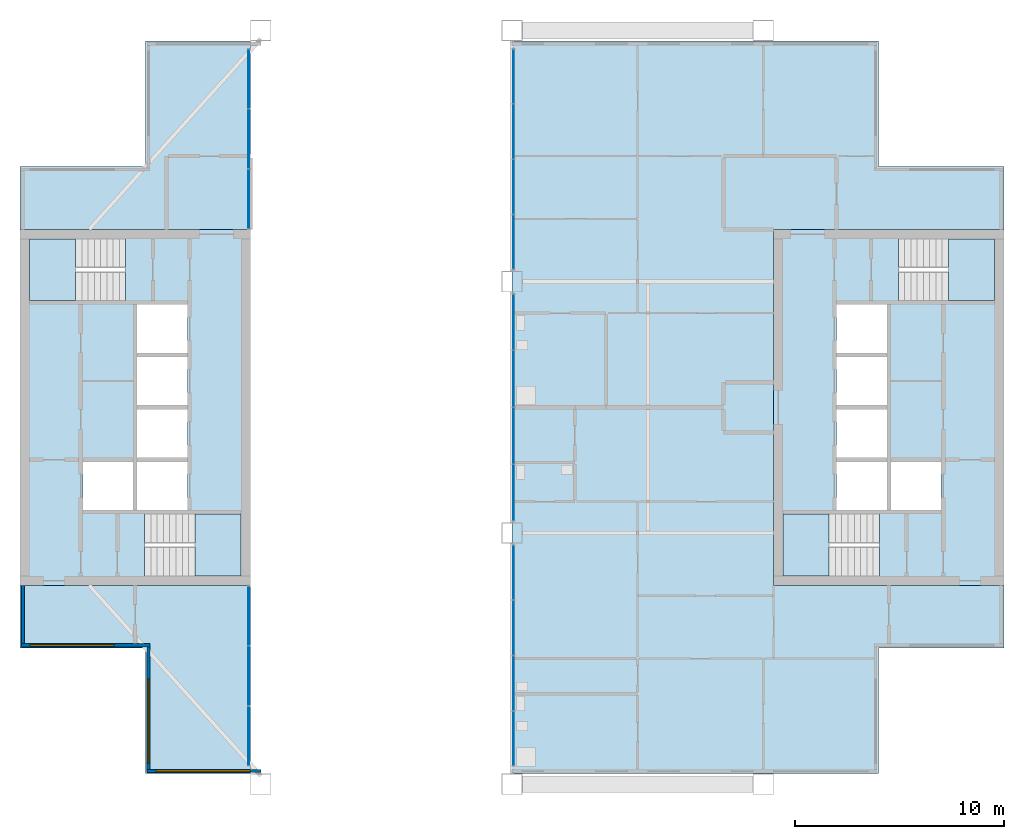
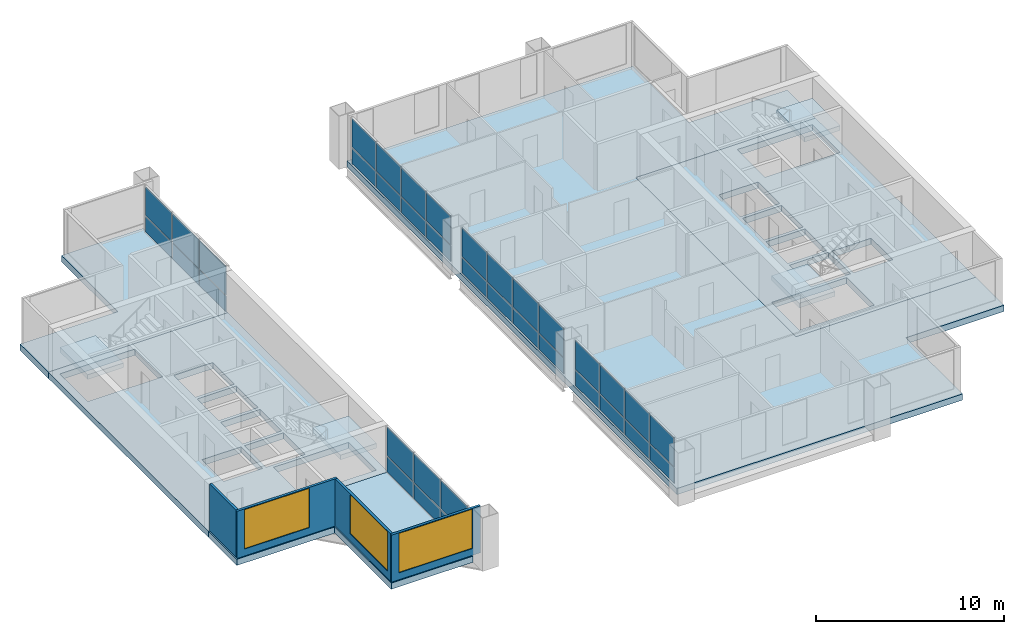
# One storey, part 6 of 13: 36 plates, 9 slabs, 4 walls, 3 windows, 3 openings, 9 elements without a shape of their own.
"""IFC4 building model written with IfcOpenShell, lengths in metres."""

import ifcopenshell
import ifcopenshell.guid

model = None  # the IFC model being written
_history = None  # IfcOwnerHistory: only IFC2X3 demands one
_inside = {}  # id of a spatial element -> (the spatial element, [elements in it])
_under = {}  # id of a project, library or spatial element -> (it, [spatial elements below it])
_declared = {}  # id of a project -> (the project, [libraries it declares])
_typed = {}  # id of a type object -> (the type object, [elements of that type])
_made_of = {}  # id of a material, layer set ... -> (it, [elements and type objects made of it])


def new_model(schema):
    """Start an empty IFC model of exactly this schema.

    Asked for "IFC4X3", IfcOpenShell would pick the latest addendum, in which some entities
    have other attributes; the version numbers below select the first issue.
    IFC2X3 requires an IfcOwnerHistory on every rooted entity: one is made here for all.
    """
    global model, _history
    if schema == "IFC4X3":
        model = ifcopenshell.file(schema_version=(4, 3, 0, 0))
    else:
        model = ifcopenshell.file(schema=schema)
    _inside.clear()
    _under.clear()
    _declared.clear()
    _typed.clear()
    _made_of.clear()
    _history = None
    if model.schema == "IFC2X3":
        org = make("IfcOrganization", Name="unknown")
        user = make(
            "IfcPersonAndOrganization",
            ThePerson=make("IfcPerson", FamilyName="unknown"),
            TheOrganization=org,
        )
        app = make(
            "IfcApplication",
            ApplicationDeveloper=org,
            Version="unknown",
            ApplicationFullName="unknown",
            ApplicationIdentifier="unknown",
        )
        _history = make(
            "IfcOwnerHistory",
            OwningUser=user,
            OwningApplication=app,
            ChangeAction="ADDED",
            CreationDate=0,
        )
    return model


def make(cls, **values):
    """One entity of the class cls with the attributes given. An attribute that is None is left unset."""
    return model.create_entity(
        cls, **{name: value for name, value in values.items() if value is not None}
    )


def rooted(cls, **values):
    """An entity with a GlobalId (a new one), such as an element, a storey or a relation."""
    return make(cls, GlobalId=ifcopenshell.guid.new(), OwnerHistory=_history, **values)


def si_unit(unit_type, name, prefix=None):
    """IfcSIUnit, for example si_unit("LENGTHUNIT", "METRE", prefix="MILLI")."""
    return make("IfcSIUnit", UnitType=unit_type, Prefix=prefix, Name=name)


def assignment(units):
    """IfcUnitAssignment: the units of a project."""
    return None if units is None else make("IfcUnitAssignment", Units=units)


def point(xyz):
    """IfcCartesianPoint."""
    return None if xyz is None else make("IfcCartesianPoint", Coordinates=xyz)


def direction(xyz):
    """IfcDirection."""
    return None if xyz is None else make("IfcDirection", DirectionRatios=xyz)


def frame(location, z_axis=None, x_axis=None):
    """IfcAxis2Placement3D, a coordinate frame: its origin and axes. An axis left out is left unset."""
    return make(
        "IfcAxis2Placement3D",
        Location=point(location),
        Axis=direction(z_axis),
        RefDirection=direction(x_axis),
    )


def frame_2d(location, x_axis=None):
    """IfcAxis2Placement2D, a coordinate frame in the plane: its origin and x axis."""
    return make(
        "IfcAxis2Placement2D", Location=point(location), RefDirection=direction(x_axis)
    )


def origin():
    """The frame at (0, 0, 0) with its axes left unset."""
    return frame((0.0, 0.0, 0.0))


def origin_2d():
    """The frame at (0, 0) in the plane with its x axis left unset."""
    return frame_2d((0.0, 0.0))


def place(relative_to, where):
    """IfcLocalPlacement: puts the frame where relative to a parent placement (None: the world)."""
    return make(
        "IfcLocalPlacement", PlacementRelTo=relative_to, RelativePlacement=where
    )


def context(
    kind, dimensions, precision=None, world=None, true_north=None, identifier=None
):
    """IfcGeometricRepresentationContext, for example the 3D "Model" context."""
    return make(
        "IfcGeometricRepresentationContext",
        ContextIdentifier=identifier,
        ContextType=kind,
        CoordinateSpaceDimension=dimensions,
        Precision=precision,
        WorldCoordinateSystem=world,
        TrueNorth=true_north,
    )


def subcontext(parent, identifier, kind, view, scale=None):
    """IfcGeometricRepresentationSubContext, for example "Body" below "Model"."""
    return make(
        "IfcGeometricRepresentationSubContext",
        ContextIdentifier=identifier,
        ContextType=kind,
        ParentContext=parent,
        TargetScale=scale,
        TargetView=view,
    )


def project(units=None, contexts=None):
    """IfcProject with its units and contexts."""
    return rooted(
        "IfcProject",
        Name="project",
        RepresentationContexts=contexts,
        UnitsInContext=assignment(units),
    )


def spatial(cls, under=None, at=None, **own):
    """A site, building, storey or space (cls), placed at a placement, below another one or the project."""
    s = rooted(cls, ObjectPlacement=at, **own)
    if under is not None:
        _under.setdefault(under.id(), (under, []))[1].append(s)
    return s


def polyline(points):
    """IfcPolyline through the points."""
    return make("IfcPolyline", Points=[point(p) for p in points])


def profile(cls, at=None, kind="AREA", **sizes):
    """A parametric profile (cls). Its sizes go by their IFC names, for example OverallWidth=200.0."""
    return make(cls, ProfileType=kind, Position=at, **sizes)


def rectangle(**sizes):
    """IfcRectangleProfileDef."""
    return profile("IfcRectangleProfileDef", **sizes)


def outline(outer, holes=None, kind="AREA"):
    """IfcArbitraryClosedProfileDef: a profile drawn as a closed curve; with holes, ...WithVoids."""
    if holes is None:
        return make("IfcArbitraryClosedProfileDef", ProfileType=kind, OuterCurve=outer)
    return make(
        "IfcArbitraryProfileDefWithVoids",
        ProfileType=kind,
        OuterCurve=outer,
        InnerCurves=holes,
    )


def extrude(swept, where, along, depth):
    """IfcExtrudedAreaSolid: the profile swept, set in the frame where, extruded along a direction by depth."""
    return make(
        "IfcExtrudedAreaSolid",
        SweptArea=swept,
        Position=where,
        ExtrudedDirection=direction(along),
        Depth=depth,
    )


def shape(context_of_items, identifier, shape_type, items):
    """IfcShapeRepresentation: the items that make up one representation, for example the "Body"."""
    return make(
        "IfcShapeRepresentation",
        ContextOfItems=context_of_items,
        RepresentationIdentifier=identifier,
        RepresentationType=shape_type,
        Items=items,
    )


def material(Name=None, Category=None):
    """IfcMaterial."""
    return make("IfcMaterial", Name=Name, Category=Category)


def layer(
    of_material, thickness, ventilated=None, Name=None, Category=None, Priority=None
):
    """IfcMaterialLayer: one layer of a wall or slab, of a material (None: an air gap)."""
    return make(
        "IfcMaterialLayer",
        Material=of_material,
        LayerThickness=thickness,
        IsVentilated=ventilated,
        Name=Name,
        Category=Category,
        Priority=Priority,
    )


def layer_set(layers, Name=None):
    """IfcMaterialLayerSet."""
    return make("IfcMaterialLayerSet", MaterialLayers=layers, LayerSetName=Name)


def made_of(thing, what):
    """Note that an element or type object is made of a material, layer set ...; save() writes the relation."""
    if what is not None:
        _made_of.setdefault(what.id(), (what, []))[1].append(thing)
    return thing


def type_object(cls, material=None, **own):
    """A type object (cls), such as IfcWallType, which elements share."""
    return made_of(rooted(cls, **own), material)


def element(
    cls,
    number,
    at=None,
    inside=None,
    cuts=None,
    type_object=None,
    material=None,
    context=None,
    identifier="Body",
    shape_type=None,
    held_by="IfcProductDefinitionShape",
    body=None,
    shapes=None,
    **own,
):
    """One element of the class cls, such as IfcWall. Its Tag is "e" and its number.

    at: its placement. inside: the storey or other place that contains it. cuts: it is an
    opening in that element (IfcRelVoidsElement). A single representation is given by context,
    identifier, shape_type and body (its items); several are given by shapes. held_by: the class
    of the entity that holds the representations. save() writes the other relations.
    """
    e = rooted(cls, Tag="e%d" % number, ObjectPlacement=at, **own)
    if body is not None:
        shapes = [shape(context, identifier, shape_type, body)]
    if shapes is not None:
        e.Representation = make(held_by, Representations=shapes)
    if inside is not None:
        _inside.setdefault(inside.id(), (inside, []))[1].append(e)
    if cuts is not None:
        rooted(
            "IfcRelVoidsElement", RelatingBuildingElement=cuts, RelatedOpeningElement=e
        )
    if type_object is not None:
        _typed.setdefault(type_object.id(), (type_object, []))[1].append(e)
    return made_of(e, material)


def fill(opening, filler):
    """IfcRelFillsElement: the door or window that sits in an opening."""
    return rooted(
        "IfcRelFillsElement",
        RelatingOpeningElement=opening,
        RelatedBuildingElement=filler,
    )


def aggregate(whole, parts):
    """IfcRelAggregates: a whole, such as a stair, and the parts it consists of."""
    return rooted("IfcRelAggregates", RelatingObject=whole, RelatedObjects=parts)


def save(model, path):
    """Write the relations noted so far, then the file.

    IfcRelAggregates (storeys below a building ...), IfcRelContainedInSpatialStructure (elements
    in a storey), IfcRelDefinesByType, IfcRelAssociatesMaterial and IfcRelDeclares: one each for
    every whole, place, type object, material and project.
    """
    for whole, parts in _under.values():
        aggregate(whole, parts)
    for where, things in _inside.values():
        rooted(
            "IfcRelContainedInSpatialStructure",
            RelatedElements=things,
            RelatingStructure=where,
        )
    for kind, things in _typed.values():
        rooted("IfcRelDefinesByType", RelatedObjects=things, RelatingType=kind)
    for what, things in _made_of.values():
        rooted("IfcRelAssociatesMaterial", RelatedObjects=things, RelatingMaterial=what)
    for by, libraries in _declared.values():
        rooted("IfcRelDeclares", RelatingContext=by, RelatedDefinitions=libraries)
    model.write(path)


model = new_model("IFC4")

# Units and contexts
model_context = context("Model", 3, precision=1e-05, world=origin(), true_north=direction((0.0, 1.0)))
body_context = subcontext(model_context, "Body", "Model", "MODEL_VIEW")
ifc_project = project(units=[si_unit("LENGTHUNIT", "METRE"), si_unit("AREAUNIT", "SQUARE_METRE"), si_unit("VOLUMEUNIT", "CUBIC_METRE"), si_unit("PLANEANGLEUNIT", "RADIAN"), si_unit("MASSUNIT", "GRAM", prefix="KILO")], contexts=[model_context])

# Site, building, storey
site_placement = place(None, origin())
site = spatial("IfcSite", under=ifc_project, at=site_placement, CompositionType="ELEMENT")
building_placement = place(site_placement, origin())
building = spatial("IfcBuilding", under=site, at=building_placement, Name="Kitamizu Gate Tower and Museum", CompositionType="ELEMENT")
storey_placement = place(building_placement, frame((0.0, 0.0, 252.449951171875)))
storey = spatial("IfcBuildingStorey", under=building, at=storey_placement, Name="L68", CompositionType="ELEMENT", Elevation=252.449951171875)

# Slabs
ifc_material_1 = material(Name="Concrete Fc36", Category="concrete")
ifc_layer_1 = layer(ifc_material_1, 0.39990234375)
ifc_layer_set_1 = layer_set([ifc_layer_1], Name="Concrete Fc36")
slab_type_1 = type_object("IfcSlabType", Name="Core floor slab 400", PredefinedType="FLOOR", material=ifc_layer_set_1)
slab_1_placement = place(storey_placement, frame((0.0, 0.0, -0.39990234375)))
element("IfcSlab", 1, at=slab_1_placement, inside=storey, type_object=slab_type_1, Name="Core floor slab W", PredefinedType="FLOOR", context=body_context, shape_type="SweptSolid", body=[
    extrude(outline(polyline([(12.5, 21.5), (23.5, 21.5), (23.5, 38.5), (12.5, 38.5), (12.5, 21.5)]), holes=[polyline([(15.5, 25.10009765625), (17.89990234375, 25.10009765625), (17.89990234375, 27.39990234375), (15.5, 27.39990234375), (15.5, 25.10009765625)]), polyline([(18.10009765625, 25.10009765625), (20.5, 25.10009765625), (20.5, 27.39990234375), (18.10009765625, 27.39990234375), (18.10009765625, 25.10009765625)]), polyline([(18.10009765625, 27.60009765625), (20.5, 27.60009765625), (20.5, 29.89990234375), (18.10009765625, 29.89990234375), (18.10009765625, 27.60009765625)]), polyline([(18.10009765625, 30.10009765625), (20.5, 30.10009765625), (20.5, 32.39990234375), (18.10009765625, 32.39990234375), (18.10009765625, 30.10009765625)]), polyline([(18.10009765625, 32.60009765625), (20.5, 32.60009765625), (20.5, 34.89990234375), (18.10009765625, 34.89990234375), (18.10009765625, 32.60009765625)]), polyline([(18.45068359375, 21.949951171875), (23.050048828125, 21.949951171875), (23.050048828125, 24.89990234375), (18.45068359375, 24.89990234375), (18.45068359375, 21.949951171875)]), polyline([(12.949951171875, 35.10009765625), (17.54931640625, 35.10009765625), (17.54931640625, 38.050048828125), (12.949951171875, 38.050048828125), (12.949951171875, 35.10009765625)])]), origin(), (0.0, 0.0, 1.0), 0.39990234375),
])
slab_2_placement = place(storey_placement, frame((0.0, 0.0, -0.39990234375)))
element("IfcSlab", 2, at=slab_2_placement, inside=storey, type_object=slab_type_1, Name="Core floor slab E", PredefinedType="FLOOR", context=body_context, shape_type="SweptSolid", body=[
    extrude(outline(polyline([(48.5, 21.5), (59.5, 21.5), (59.5, 38.5), (48.5, 38.5), (48.5, 21.5)]), holes=[polyline([(54.10009765625, 25.10009765625), (56.5, 25.10009765625), (56.5, 27.39990234375), (54.10009765625, 27.39990234375), (54.10009765625, 25.10009765625)]), polyline([(51.5, 25.10009765625), (53.89990234375, 25.10009765625), (53.89990234375, 27.39990234375), (51.5, 27.39990234375), (51.5, 25.10009765625)]), polyline([(51.5, 27.60009765625), (53.89990234375, 27.60009765625), (53.89990234375, 29.89990234375), (51.5, 29.89990234375), (51.5, 27.60009765625)]), polyline([(51.5, 30.10009765625), (53.89990234375, 30.10009765625), (53.89990234375, 32.39990234375), (51.5, 32.39990234375), (51.5, 30.10009765625)]), polyline([(51.5, 32.60009765625), (53.89990234375, 32.60009765625), (53.89990234375, 34.89990234375), (51.5, 34.89990234375), (51.5, 32.60009765625)]), polyline([(48.949951171875, 21.949951171875), (53.54931640625, 21.949951171875), (53.54931640625, 24.89990234375), (48.949951171875, 24.89990234375), (48.949951171875, 21.949951171875)]), polyline([(54.45068359375, 35.10009765625), (59.050048828125, 35.10009765625), (59.050048828125, 38.050048828125), (54.45068359375, 38.050048828125), (54.45068359375, 35.10009765625)])]), origin(), (0.0, 0.0, 1.0), 0.39990234375),
])

# Curtain wall, plates
ifc_material_2 = material(Name="Bronze anodised aluminium frame, tinted triple glazing", Category="aluminium")
curtain_wall_type = type_object("IfcCurtainWallType", Name="CURTAIN WALL TYPE C SKY AMENITY", PredefinedType="NOTDEFINED", material=ifc_material_2)
curtain_wall_1_placement = place(storey_placement, origin())
curtain_wall_1 = element("IfcCurtainWall", 3, at=curtain_wall_1_placement, inside=storey, type_object=curtain_wall_type, Name="Curtain wall CW-C portal W L68", PredefinedType="NOTDEFINED")
ifc_material_3 = material(Name="Tinted insulating glass", Category="glass")
ifc_layer_2 = layer(ifc_material_3, 0.031982421875)
ifc_layer_set_2 = layer_set([ifc_layer_2], Name="Tinted insulating glass")
plate_type = type_object("IfcPlateType", Name="GLASS PANEL 32 TYPE C", PredefinedType="CURTAIN_PANEL", material=ifc_layer_set_2)
plate_1_placement = place(storey_placement, frame((23.425048828125, 14.306640625, 0.06005859375), z_axis=(0.0, 0.0, 1.0), x_axis=(0.0, 1.0, 0.0)))
plate_1 = element("IfcPlate", 4, at=plate_1_placement, type_object=plate_type, Name="CW-C panel 1.1", PredefinedType="CURTAIN_PANEL", context=body_context, shape_type="SweptSolid", body=[
    extrude(rectangle(XDim=2.793212890625, YDim=0.031982421875, at=origin_2d()), origin(), (0.0, 0.0, 1.0), 1.010009765625),
])
plate_2_placement = place(storey_placement, frame((23.425048828125, 14.306640625, 1.1298828125), z_axis=(0.0, 0.0, 1.0), x_axis=(0.0, 1.0, 0.0)))
plate_2 = element("IfcPlate", 5, at=plate_2_placement, type_object=plate_type, Name="CW-C panel 1.2", PredefinedType="CURTAIN_PANEL", context=body_context, shape_type="SweptSolid", body=[
    extrude(rectangle(XDim=2.793212890625, YDim=0.031982421875, at=origin_2d()), origin(), (0.0, 0.0, 1.0), 1.860107421875),
])
plate_3_placement = place(storey_placement, frame((23.425048828125, 17.175048828125, 0.06005859375), z_axis=(0.0, 0.0, 1.0), x_axis=(0.0, 1.0, 0.0)))
plate_3 = element("IfcPlate", 6, at=plate_3_placement, type_object=plate_type, Name="CW-C panel 2.1", PredefinedType="CURTAIN_PANEL", context=body_context, shape_type="SweptSolid", body=[
    extrude(rectangle(XDim=2.8232421875, YDim=0.031982421875, at=origin_2d()), origin(), (0.0, 0.0, 1.0), 1.010009765625),
])
plate_4_placement = place(storey_placement, frame((23.425048828125, 17.175048828125, 1.1298828125), z_axis=(0.0, 0.0, 1.0), x_axis=(0.0, 1.0, 0.0)))
plate_4 = element("IfcPlate", 7, at=plate_4_placement, type_object=plate_type, Name="CW-C panel 2.2", PredefinedType="CURTAIN_PANEL", context=body_context, shape_type="SweptSolid", body=[
    extrude(rectangle(XDim=2.8232421875, YDim=0.031982421875, at=origin_2d()), origin(), (0.0, 0.0, 1.0), 1.860107421875),
])
plate_5_placement = place(storey_placement, frame((23.425048828125, 20.043212890625, 0.06005859375), z_axis=(0.0, 0.0, 1.0), x_axis=(0.0, 1.0, 0.0)))
plate_5 = element("IfcPlate", 8, at=plate_5_placement, type_object=plate_type, Name="CW-C panel 3.1", PredefinedType="CURTAIN_PANEL", context=body_context, shape_type="SweptSolid", body=[
    extrude(rectangle(XDim=2.793212890625, YDim=0.031982421875, at=origin_2d()), origin(), (0.0, 0.0, 1.0), 1.010009765625),
])
plate_6_placement = place(storey_placement, frame((23.425048828125, 20.043212890625, 1.1298828125), z_axis=(0.0, 0.0, 1.0), x_axis=(0.0, 1.0, 0.0)))
plate_6 = element("IfcPlate", 9, at=plate_6_placement, type_object=plate_type, Name="CW-C panel 3.2", PredefinedType="CURTAIN_PANEL", context=body_context, shape_type="SweptSolid", body=[
    extrude(rectangle(XDim=2.793212890625, YDim=0.031982421875, at=origin_2d()), origin(), (0.0, 0.0, 1.0), 1.860107421875),
])
aggregate(curtain_wall_1, [plate_1, plate_2, plate_3, plate_4, plate_5, plate_6])

curtain_wall_2_placement = place(storey_placement, origin())
curtain_wall_2 = element("IfcCurtainWall", 10, at=curtain_wall_2_placement, inside=storey, type_object=curtain_wall_type, Name="Curtain wall CW-C portal W L68", PredefinedType="NOTDEFINED")
plate_7_placement = place(storey_placement, frame((23.425048828125, 39.956787109375, 0.06005859375), z_axis=(0.0, 0.0, 1.0), x_axis=(0.0, 1.0, 0.0)))
plate_7 = element("IfcPlate", 11, at=plate_7_placement, type_object=plate_type, Name="CW-C panel 1.1", PredefinedType="CURTAIN_PANEL", context=body_context, shape_type="SweptSolid", body=[
    extrude(rectangle(XDim=2.793212890625, YDim=0.031982421875, at=origin_2d()), origin(), (0.0, 0.0, 1.0), 1.010009765625),
])
plate_8_placement = place(storey_placement, frame((23.425048828125, 39.956787109375, 1.1298828125), z_axis=(0.0, 0.0, 1.0), x_axis=(0.0, 1.0, 0.0)))
plate_8 = element("IfcPlate", 12, at=plate_8_placement, type_object=plate_type, Name="CW-C panel 1.2", PredefinedType="CURTAIN_PANEL", context=body_context, shape_type="SweptSolid", body=[
    extrude(rectangle(XDim=2.793212890625, YDim=0.031982421875, at=origin_2d()), origin(), (0.0, 0.0, 1.0), 1.860107421875),
])
plate_9_placement = place(storey_placement, frame((23.425048828125, 42.824951171875, 0.06005859375), z_axis=(0.0, 0.0, 1.0), x_axis=(0.0, 1.0, 0.0)))
plate_9 = element("IfcPlate", 13, at=plate_9_placement, type_object=plate_type, Name="CW-C panel 2.1", PredefinedType="CURTAIN_PANEL", context=body_context, shape_type="SweptSolid", body=[
    extrude(rectangle(XDim=2.8232421875, YDim=0.031982421875, at=origin_2d()), origin(), (0.0, 0.0, 1.0), 1.010009765625),
])
plate_10_placement = place(storey_placement, frame((23.425048828125, 42.824951171875, 1.1298828125), z_axis=(0.0, 0.0, 1.0), x_axis=(0.0, 1.0, 0.0)))
plate_10 = element("IfcPlate", 14, at=plate_10_placement, type_object=plate_type, Name="CW-C panel 2.2", PredefinedType="CURTAIN_PANEL", context=body_context, shape_type="SweptSolid", body=[
    extrude(rectangle(XDim=2.8232421875, YDim=0.031982421875, at=origin_2d()), origin(), (0.0, 0.0, 1.0), 1.860107421875),
])
plate_11_placement = place(storey_placement, frame((23.425048828125, 45.693359375, 0.06005859375), z_axis=(0.0, 0.0, 1.0), x_axis=(0.0, 1.0, 0.0)))
plate_11 = element("IfcPlate", 15, at=plate_11_placement, type_object=plate_type, Name="CW-C panel 3.1", PredefinedType="CURTAIN_PANEL", context=body_context, shape_type="SweptSolid", body=[
    extrude(rectangle(XDim=2.793212890625, YDim=0.031982421875, at=origin_2d()), origin(), (0.0, 0.0, 1.0), 1.010009765625),
])
plate_12_placement = place(storey_placement, frame((23.425048828125, 45.693359375, 1.1298828125), z_axis=(0.0, 0.0, 1.0), x_axis=(0.0, 1.0, 0.0)))
plate_12 = element("IfcPlate", 16, at=plate_12_placement, type_object=plate_type, Name="CW-C panel 3.2", PredefinedType="CURTAIN_PANEL", context=body_context, shape_type="SweptSolid", body=[
    extrude(rectangle(XDim=2.793212890625, YDim=0.031982421875, at=origin_2d()), origin(), (0.0, 0.0, 1.0), 1.860107421875),
])
aggregate(curtain_wall_2, [plate_7, plate_8, plate_9, plate_10, plate_11, plate_12])

curtain_wall_3_placement = place(storey_placement, origin())
curtain_wall_3 = element("IfcCurtainWall", 17, at=curtain_wall_3_placement, inside=storey, type_object=curtain_wall_type, Name="Curtain wall CW-C portal E L68", PredefinedType="NOTDEFINED")
plate_13_placement = place(storey_placement, frame((36.074951171875, 14.189453125, 0.06005859375), z_axis=(0.0, 0.0, 1.0), x_axis=(0.0, 1.0, 0.0)))
plate_13 = element("IfcPlate", 18, at=plate_13_placement, type_object=plate_type, Name="CW-C panel 1.1", PredefinedType="CURTAIN_PANEL", context=body_context, shape_type="SweptSolid", body=[
    extrude(rectangle(XDim=2.558837890625, YDim=0.031982421875, at=origin_2d()), origin(), (0.0, 0.0, 1.0), 1.010009765625),
])
plate_14_placement = place(storey_placement, frame((36.074951171875, 14.189453125, 1.1298828125), z_axis=(0.0, 0.0, 1.0), x_axis=(0.0, 1.0, 0.0)))
plate_14 = element("IfcPlate", 19, at=plate_14_placement, type_object=plate_type, Name="CW-C panel 1.2", PredefinedType="CURTAIN_PANEL", context=body_context, shape_type="SweptSolid", body=[
    extrude(rectangle(XDim=2.558837890625, YDim=0.031982421875, at=origin_2d()), origin(), (0.0, 0.0, 1.0), 1.860107421875),
])
plate_15_placement = place(storey_placement, frame((36.074951171875, 16.8232421875, 0.06005859375), z_axis=(0.0, 0.0, 1.0), x_axis=(0.0, 1.0, 0.0)))
plate_15 = element("IfcPlate", 20, at=plate_15_placement, type_object=plate_type, Name="CW-C panel 2.1", PredefinedType="CURTAIN_PANEL", context=body_context, shape_type="SweptSolid", body=[
    extrude(rectangle(XDim=2.5888671875, YDim=0.031982421875, at=origin_2d()), origin(), (0.0, 0.0, 1.0), 1.010009765625),
])
plate_16_placement = place(storey_placement, frame((36.074951171875, 16.8232421875, 1.1298828125), z_axis=(0.0, 0.0, 1.0), x_axis=(0.0, 1.0, 0.0)))
plate_16 = element("IfcPlate", 21, at=plate_16_placement, type_object=plate_type, Name="CW-C panel 2.2", PredefinedType="CURTAIN_PANEL", context=body_context, shape_type="SweptSolid", body=[
    extrude(rectangle(XDim=2.5888671875, YDim=0.031982421875, at=origin_2d()), origin(), (0.0, 0.0, 1.0), 1.860107421875),
])
plate_17_placement = place(storey_placement, frame((36.074951171875, 19.471923828125, 0.06005859375), z_axis=(0.0, 0.0, 1.0), x_axis=(0.0, 1.0, 0.0)))
plate_17 = element("IfcPlate", 22, at=plate_17_placement, type_object=plate_type, Name="CW-C panel 3.1", PredefinedType="CURTAIN_PANEL", context=body_context, shape_type="SweptSolid", body=[
    extrude(rectangle(XDim=2.5888671875, YDim=0.031982421875, at=origin_2d()), origin(), (0.0, 0.0, 1.0), 1.010009765625),
])
plate_18_placement = place(storey_placement, frame((36.074951171875, 19.471923828125, 1.1298828125), z_axis=(0.0, 0.0, 1.0), x_axis=(0.0, 1.0, 0.0)))
plate_18 = element("IfcPlate", 23, at=plate_18_placement, type_object=plate_type, Name="CW-C panel 3.2", PredefinedType="CURTAIN_PANEL", context=body_context, shape_type="SweptSolid", body=[
    extrude(rectangle(XDim=2.5888671875, YDim=0.031982421875, at=origin_2d()), origin(), (0.0, 0.0, 1.0), 1.860107421875),
])
plate_19_placement = place(storey_placement, frame((36.074951171875, 22.105712890625, 0.06005859375), z_axis=(0.0, 0.0, 1.0), x_axis=(0.0, 1.0, 0.0)))
plate_19 = element("IfcPlate", 24, at=plate_19_placement, type_object=plate_type, Name="CW-C panel 4.1", PredefinedType="CURTAIN_PANEL", context=body_context, shape_type="SweptSolid", body=[
    extrude(rectangle(XDim=2.558837890625, YDim=0.031982421875, at=origin_2d()), origin(), (0.0, 0.0, 1.0), 1.010009765625),
])
plate_20_placement = place(storey_placement, frame((36.074951171875, 22.105712890625, 1.1298828125), z_axis=(0.0, 0.0, 1.0), x_axis=(0.0, 1.0, 0.0)))
plate_20 = element("IfcPlate", 25, at=plate_20_placement, type_object=plate_type, Name="CW-C panel 4.2", PredefinedType="CURTAIN_PANEL", context=body_context, shape_type="SweptSolid", body=[
    extrude(rectangle(XDim=2.558837890625, YDim=0.031982421875, at=origin_2d()), origin(), (0.0, 0.0, 1.0), 1.860107421875),
])
aggregate(curtain_wall_3, [plate_13, plate_14, plate_15, plate_16, plate_17, plate_18, plate_19, plate_20])

curtain_wall_4_placement = place(storey_placement, origin())
curtain_wall_4 = element("IfcCurtainWall", 26, at=curtain_wall_4_placement, inside=storey, type_object=curtain_wall_type, Name="Curtain wall CW-C portal E L68", PredefinedType="NOTDEFINED")
plate_21_placement = place(storey_placement, frame((36.074951171875, 25.93115234375, 0.06005859375), z_axis=(0.0, 0.0, 1.0), x_axis=(0.0, 1.0, 0.0)))
plate_21 = element("IfcPlate", 27, at=plate_21_placement, type_object=plate_type, Name="CW-C panel 1.1", PredefinedType="CURTAIN_PANEL", context=body_context, shape_type="SweptSolid", body=[
    extrude(rectangle(XDim=2.632568359375, YDim=0.031982421875, at=origin_2d()), origin(), (0.0, 0.0, 1.0), 1.010009765625),
])
plate_22_placement = place(storey_placement, frame((36.074951171875, 25.93115234375, 1.1298828125), z_axis=(0.0, 0.0, 1.0), x_axis=(0.0, 1.0, 0.0)))
plate_22 = element("IfcPlate", 28, at=plate_22_placement, type_object=plate_type, Name="CW-C panel 1.2", PredefinedType="CURTAIN_PANEL", context=body_context, shape_type="SweptSolid", body=[
    extrude(rectangle(XDim=2.632568359375, YDim=0.031982421875, at=origin_2d()), origin(), (0.0, 0.0, 1.0), 1.860107421875),
])
plate_23_placement = place(storey_placement, frame((36.074951171875, 28.638671875, 0.06005859375), z_axis=(0.0, 0.0, 1.0), x_axis=(0.0, 1.0, 0.0)))
plate_23 = element("IfcPlate", 29, at=plate_23_placement, type_object=plate_type, Name="CW-C panel 2.1", PredefinedType="CURTAIN_PANEL", context=body_context, shape_type="SweptSolid", body=[
    extrude(rectangle(XDim=2.66259765625, YDim=0.031982421875, at=origin_2d()), origin(), (0.0, 0.0, 1.0), 1.010009765625),
])
plate_24_placement = place(storey_placement, frame((36.074951171875, 28.638671875, 1.1298828125), z_axis=(0.0, 0.0, 1.0), x_axis=(0.0, 1.0, 0.0)))
plate_24 = element("IfcPlate", 30, at=plate_24_placement, type_object=plate_type, Name="CW-C panel 2.2", PredefinedType="CURTAIN_PANEL", context=body_context, shape_type="SweptSolid", body=[
    extrude(rectangle(XDim=2.66259765625, YDim=0.031982421875, at=origin_2d()), origin(), (0.0, 0.0, 1.0), 1.860107421875),
])
plate_25_placement = place(storey_placement, frame((36.074951171875, 31.361328125, 0.06005859375), z_axis=(0.0, 0.0, 1.0), x_axis=(0.0, 1.0, 0.0)))
plate_25 = element("IfcPlate", 31, at=plate_25_placement, type_object=plate_type, Name="CW-C panel 3.1", PredefinedType="CURTAIN_PANEL", context=body_context, shape_type="SweptSolid", body=[
    extrude(rectangle(XDim=2.66259765625, YDim=0.031982421875, at=origin_2d()), origin(), (0.0, 0.0, 1.0), 1.010009765625),
])
plate_26_placement = place(storey_placement, frame((36.074951171875, 31.361328125, 1.1298828125), z_axis=(0.0, 0.0, 1.0), x_axis=(0.0, 1.0, 0.0)))
plate_26 = element("IfcPlate", 32, at=plate_26_placement, type_object=plate_type, Name="CW-C panel 3.2", PredefinedType="CURTAIN_PANEL", context=body_context, shape_type="SweptSolid", body=[
    extrude(rectangle(XDim=2.66259765625, YDim=0.031982421875, at=origin_2d()), origin(), (0.0, 0.0, 1.0), 1.860107421875),
])
plate_27_placement = place(storey_placement, frame((36.074951171875, 34.06884765625, 0.06005859375), z_axis=(0.0, 0.0, 1.0), x_axis=(0.0, 1.0, 0.0)))
plate_27 = element("IfcPlate", 33, at=plate_27_placement, type_object=plate_type, Name="CW-C panel 4.1", PredefinedType="CURTAIN_PANEL", context=body_context, shape_type="SweptSolid", body=[
    extrude(rectangle(XDim=2.632568359375, YDim=0.031982421875, at=origin_2d()), origin(), (0.0, 0.0, 1.0), 1.010009765625),
])
plate_28_placement = place(storey_placement, frame((36.074951171875, 34.06884765625, 1.1298828125), z_axis=(0.0, 0.0, 1.0), x_axis=(0.0, 1.0, 0.0)))
plate_28 = element("IfcPlate", 34, at=plate_28_placement, type_object=plate_type, Name="CW-C panel 4.2", PredefinedType="CURTAIN_PANEL", context=body_context, shape_type="SweptSolid", body=[
    extrude(rectangle(XDim=2.632568359375, YDim=0.031982421875, at=origin_2d()), origin(), (0.0, 0.0, 1.0), 1.860107421875),
])
aggregate(curtain_wall_4, [plate_21, plate_22, plate_23, plate_24, plate_25, plate_26, plate_27, plate_28])

curtain_wall_5_placement = place(storey_placement, origin())
curtain_wall_5 = element("IfcCurtainWall", 35, at=curtain_wall_5_placement, inside=storey, type_object=curtain_wall_type, Name="Curtain wall CW-C portal E L68", PredefinedType="NOTDEFINED")
plate_29_placement = place(storey_placement, frame((36.074951171875, 37.894287109375, 0.06005859375), z_axis=(0.0, 0.0, 1.0), x_axis=(0.0, 1.0, 0.0)))
plate_29 = element("IfcPlate", 36, at=plate_29_placement, type_object=plate_type, Name="CW-C panel 1.1", PredefinedType="CURTAIN_PANEL", context=body_context, shape_type="SweptSolid", body=[
    extrude(rectangle(XDim=2.558837890625, YDim=0.031982421875, at=origin_2d()), origin(), (0.0, 0.0, 1.0), 1.010009765625),
])
plate_30_placement = place(storey_placement, frame((36.074951171875, 37.894287109375, 1.1298828125), z_axis=(0.0, 0.0, 1.0), x_axis=(0.0, 1.0, 0.0)))
plate_30 = element("IfcPlate", 37, at=plate_30_placement, type_object=plate_type, Name="CW-C panel 1.2", PredefinedType="CURTAIN_PANEL", context=body_context, shape_type="SweptSolid", body=[
    extrude(rectangle(XDim=2.558837890625, YDim=0.031982421875, at=origin_2d()), origin(), (0.0, 0.0, 1.0), 1.860107421875),
])
plate_31_placement = place(storey_placement, frame((36.074951171875, 40.528076171875, 0.06005859375), z_axis=(0.0, 0.0, 1.0), x_axis=(0.0, 1.0, 0.0)))
plate_31 = element("IfcPlate", 38, at=plate_31_placement, type_object=plate_type, Name="CW-C panel 2.1", PredefinedType="CURTAIN_PANEL", context=body_context, shape_type="SweptSolid", body=[
    extrude(rectangle(XDim=2.5888671875, YDim=0.031982421875, at=origin_2d()), origin(), (0.0, 0.0, 1.0), 1.010009765625),
])
plate_32_placement = place(storey_placement, frame((36.074951171875, 40.528076171875, 1.1298828125), z_axis=(0.0, 0.0, 1.0), x_axis=(0.0, 1.0, 0.0)))
plate_32 = element("IfcPlate", 39, at=plate_32_placement, type_object=plate_type, Name="CW-C panel 2.2", PredefinedType="CURTAIN_PANEL", context=body_context, shape_type="SweptSolid", body=[
    extrude(rectangle(XDim=2.5888671875, YDim=0.031982421875, at=origin_2d()), origin(), (0.0, 0.0, 1.0), 1.860107421875),
])
plate_33_placement = place(storey_placement, frame((36.074951171875, 43.1767578125, 0.06005859375), z_axis=(0.0, 0.0, 1.0), x_axis=(0.0, 1.0, 0.0)))
plate_33 = element("IfcPlate", 40, at=plate_33_placement, type_object=plate_type, Name="CW-C panel 3.1", PredefinedType="CURTAIN_PANEL", context=body_context, shape_type="SweptSolid", body=[
    extrude(rectangle(XDim=2.5888671875, YDim=0.031982421875, at=origin_2d()), origin(), (0.0, 0.0, 1.0), 1.010009765625),
])
plate_34_placement = place(storey_placement, frame((36.074951171875, 43.1767578125, 1.1298828125), z_axis=(0.0, 0.0, 1.0), x_axis=(0.0, 1.0, 0.0)))
plate_34 = element("IfcPlate", 41, at=plate_34_placement, type_object=plate_type, Name="CW-C panel 3.2", PredefinedType="CURTAIN_PANEL", context=body_context, shape_type="SweptSolid", body=[
    extrude(rectangle(XDim=2.5888671875, YDim=0.031982421875, at=origin_2d()), origin(), (0.0, 0.0, 1.0), 1.860107421875),
])
plate_35_placement = place(storey_placement, frame((36.074951171875, 45.810546875, 0.06005859375), z_axis=(0.0, 0.0, 1.0), x_axis=(0.0, 1.0, 0.0)))
plate_35 = element("IfcPlate", 42, at=plate_35_placement, type_object=plate_type, Name="CW-C panel 4.1", PredefinedType="CURTAIN_PANEL", context=body_context, shape_type="SweptSolid", body=[
    extrude(rectangle(XDim=2.558837890625, YDim=0.031982421875, at=origin_2d()), origin(), (0.0, 0.0, 1.0), 1.010009765625),
])
plate_36_placement = place(storey_placement, frame((36.074951171875, 45.810546875, 1.1298828125), z_axis=(0.0, 0.0, 1.0), x_axis=(0.0, 1.0, 0.0)))
plate_36 = element("IfcPlate", 43, at=plate_36_placement, type_object=plate_type, Name="CW-C panel 4.2", PredefinedType="CURTAIN_PANEL", context=body_context, shape_type="SweptSolid", body=[
    extrude(rectangle(XDim=2.558837890625, YDim=0.031982421875, at=origin_2d()), origin(), (0.0, 0.0, 1.0), 1.860107421875),
])
aggregate(curtain_wall_5, [plate_29, plate_30, plate_31, plate_32, plate_33, plate_34, plate_35, plate_36])

# Slabs
ifc_material_4 = material(Name="Concrete Fc36", Category="concrete")
ifc_layer_3 = layer(ifc_material_4, 0.39990234375)
ifc_layer_set_3 = layer_set([ifc_layer_3], Name="Concrete Fc36")
slab_type_2 = type_object("IfcSlabType", Name="Post tensioned flat slab 400", PredefinedType="FLOOR", material=ifc_layer_set_3)
slab_3_placement = place(storey_placement, frame((0.0, 0.0, -0.39990234375)))
element("IfcSlab", 44, at=slab_3_placement, inside=storey, type_object=slab_type_2, Name="Floor slab L68-1", PredefinedType="FLOOR", context=body_context, shape_type="SweptSolid", body=[
    extrude(outline(polyline([(12.5, 21.5), (23.5, 21.5), (23.5, 12.5), (18.5, 12.5), (18.5, 18.5), (12.5, 18.5), (12.5, 21.5)])), origin(), (0.0, 0.0, 1.0), 0.39990234375),
])
slab_4_placement = place(storey_placement, frame((0.0, 0.0, -0.39990234375)))
element("IfcSlab", 45, at=slab_4_placement, inside=storey, type_object=slab_type_2, Name="Floor slab L68-2", PredefinedType="FLOOR", context=body_context, shape_type="SweptSolid", body=[
    extrude(outline(polyline([(53.5, 47.5), (53.5, 41.5), (59.5, 41.5), (59.5, 38.5), (48.5, 38.5), (48.5, 21.5), (59.5, 21.5), (59.5, 18.5), (53.5, 18.5), (53.5, 12.5), (36.0, 12.5), (36.0, 47.5), (53.5, 47.5)])), origin(), (0.0, 0.0, 1.0), 0.39990234375),
])
slab_5_placement = place(storey_placement, frame((0.0, 0.0, -0.39990234375)))
element("IfcSlab", 46, at=slab_5_placement, inside=storey, type_object=slab_type_2, Name="Floor slab L68-3", PredefinedType="FLOOR", context=body_context, shape_type="SweptSolid", body=[
    extrude(outline(polyline([(12.5, 38.5), (12.5, 41.5), (18.5, 41.5), (18.5, 47.5), (23.5, 47.5), (23.5, 38.5), (12.5, 38.5)])), origin(), (0.0, 0.0, 1.0), 0.39990234375),
])

# Stair, slab
ifc_material_5 = material(Name="Concrete Fc42", Category="concrete")
stair_type = type_object("IfcStairType", Name="Exit stair 1375 wide 192 rise 300 going", PredefinedType="HALF_TURN_STAIR", material=ifc_material_5)
stair_1_placement = place(storey_placement, origin())
stair_1 = element("IfcStair", 47, at=stair_1_placement, inside=storey, type_object=stair_type, Name="Exit stair ST1", PredefinedType="HALF_TURN_STAIR")
ifc_material_6 = material(Name="Concrete Fc42", Category="concrete")
ifc_layer_4 = layer(ifc_material_6, 0.300048828125)
ifc_layer_set_4 = layer_set([ifc_layer_4], Name="Concrete Fc42")
slab_type_3 = type_object("IfcSlabType", Name="Stair landing 300", PredefinedType="LANDING", material=ifc_layer_set_4)
slab_6_placement = place(storey_placement, frame((0.0, 0.0, 1.425048828125)))
slab_6 = element("IfcSlab", 48, at=slab_6_placement, type_object=slab_type_3, Name="ST1 landing 1", PredefinedType="LANDING", context=body_context, shape_type="SweptSolid", body=[
    extrude(outline(polyline([(20.85009765625, 21.949951171875), (23.050048828125, 21.949951171875), (23.050048828125, 24.89990234375), (20.85009765625, 24.89990234375), (20.85009765625, 21.949951171875)])), origin(), (0.0, 0.0, 1.0), 0.300048828125),
])
aggregate(stair_1, [slab_6])

stair_2_placement = place(storey_placement, origin())
stair_2 = element("IfcStair", 49, at=stair_2_placement, inside=storey, type_object=stair_type, Name="Exit stair ST2", PredefinedType="HALF_TURN_STAIR")
slab_7_placement = place(storey_placement, frame((0.0, 0.0, 1.425048828125)))
slab_7 = element("IfcSlab", 50, at=slab_7_placement, type_object=slab_type_3, Name="ST2 landing 1", PredefinedType="LANDING", context=body_context, shape_type="SweptSolid", body=[
    extrude(outline(polyline([(12.949951171875, 35.10009765625), (15.14990234375, 35.10009765625), (15.14990234375, 38.050048828125), (12.949951171875, 38.050048828125), (12.949951171875, 35.10009765625)])), origin(), (0.0, 0.0, 1.0), 0.300048828125),
])
aggregate(stair_2, [slab_7])

stair_3_placement = place(storey_placement, origin())
stair_3 = element("IfcStair", 51, at=stair_3_placement, inside=storey, type_object=stair_type, Name="Exit stair ST3", PredefinedType="HALF_TURN_STAIR")
slab_8_placement = place(storey_placement, frame((0.0, 0.0, 1.425048828125)))
slab_8 = element("IfcSlab", 52, at=slab_8_placement, type_object=slab_type_3, Name="ST3 landing 1", PredefinedType="LANDING", context=body_context, shape_type="SweptSolid", body=[
    extrude(outline(polyline([(48.949951171875, 21.949951171875), (51.14990234375, 21.949951171875), (51.14990234375, 24.89990234375), (48.949951171875, 24.89990234375), (48.949951171875, 21.949951171875)])), origin(), (0.0, 0.0, 1.0), 0.300048828125),
])
aggregate(stair_3, [slab_8])

stair_4_placement = place(storey_placement, origin())
stair_4 = element("IfcStair", 53, at=stair_4_placement, inside=storey, type_object=stair_type, Name="Exit stair ST4", PredefinedType="HALF_TURN_STAIR")
slab_9_placement = place(storey_placement, frame((0.0, 0.0, 1.425048828125)))
slab_9 = element("IfcSlab", 54, at=slab_9_placement, type_object=slab_type_3, Name="ST4 landing 1", PredefinedType="LANDING", context=body_context, shape_type="SweptSolid", body=[
    extrude(outline(polyline([(56.85009765625, 35.10009765625), (59.050048828125, 35.10009765625), (59.050048828125, 38.050048828125), (56.85009765625, 38.050048828125), (56.85009765625, 35.10009765625)])), origin(), (0.0, 0.0, 1.0), 0.300048828125),
])
aggregate(stair_4, [slab_9])

# Wall, opening, window
ifc_material_7 = material(Name="Bronze anodised aluminium frame with insulated spandrel and tinted glass", Category="aluminium")
ifc_layer_5 = layer(ifc_material_7, 0.14990234375)
ifc_layer_set_5 = layer_set([ifc_layer_5], Name="Bronze anodised aluminium frame with insulated spandrel and tinted glass")
wall_type = type_object("IfcWallType", Name="WINDOW WALL 150 BRONZE FRAME EI 30", PredefinedType="ELEMENTEDWALL", material=ifc_layer_set_5)
wall_1_placement = place(storey_placement, frame((18.56005859375, 12.635009765625, 0.0), z_axis=(0.0, 0.0, 1.0), x_axis=(1.0, 0.0, 0.0)))
wall_1 = element("IfcWall", 55, at=wall_1_placement, inside=storey, type_object=wall_type, Name="Window wall south L68", PredefinedType="ELEMENTEDWALL", context=body_context, shape_type="SweptSolid", body=[
    extrude(rectangle(XDim=5.43994140625, YDim=0.14990234375, at=frame_2d((2.719970703125, 0.0))), origin(), (0.0, 0.0, 1.0), 3.050048828125),
])
opening_1_placement = place(wall_1_placement, frame((0.43994140625, 0.0, 0.449951171875)))
opening_1 = element("IfcOpeningElement", 56, at=opening_1_placement, cuts=wall_1, Name="Opening W15", PredefinedType="OPENING", context=body_context, shape_type="SweptSolid", body=[
    extrude(rectangle(XDim=4.5, YDim=2.550048828125, at=frame_2d((2.25, 1.27490234375))), frame((0.0, 0.0849609375, 0.0), z_axis=(0.0, -1.0, 0.0), x_axis=(1.0, 0.0, 0.0)), (0.0, 0.0, 1.0), 0.169921875),
])
ifc_material_8 = material(Name="Bronze anodised aluminium frame, tinted triple glazing", Category="aluminium")
window_type_1 = type_object("IfcWindowType", Name="WINDOW 4500 x 2550 SILL 450", PartitioningType="SINGLE_PANEL", PredefinedType="WINDOW", material=ifc_material_8)
window_1_placement = place(opening_1_placement, origin())
window_1 = element("IfcWindow", 57, at=window_1_placement, inside=storey, type_object=window_type_1, Name="Window W15 L68", OverallHeight=2.550048828125, OverallWidth=4.5, PartitioningType="SINGLE_PANEL", PredefinedType="WINDOW", context=body_context, shape_type="SweptSolid", body=[
    extrude(rectangle(XDim=4.5, YDim=2.550048828125, at=frame_2d((2.25, 1.27490234375))), frame((0.0, 0.030029296875, 0.0), z_axis=(0.0, -1.0, 0.0), x_axis=(1.0, 0.0, 0.0)), (0.0, 0.0, 1.0), 0.06005859375),
])
fill(opening_1, window_1)

# Wall
wall_2_placement = place(storey_placement, frame((12.635009765625, 18.7099609375, 0.0), z_axis=(0.0, 0.0, 1.0), x_axis=(0.0, 1.0, 0.0)))
element("IfcWall", 58, at=wall_2_placement, inside=storey, type_object=wall_type, Name="Window wall west L68", PredefinedType="ELEMENTEDWALL", context=body_context, shape_type="SweptSolid", body=[
    extrude(rectangle(XDim=2.7900390625, YDim=0.14990234375, at=frame_2d((1.39501953125, 0.0))), origin(), (0.0, 0.0, 1.0), 3.050048828125),
])

# Wall, opening, window
wall_3_placement = place(storey_placement, frame((12.56005859375, 18.635009765625, 0.0), z_axis=(0.0, 0.0, 1.0), x_axis=(1.0, 0.0, 0.0)))
wall_3 = element("IfcWall", 59, at=wall_3_placement, inside=storey, type_object=wall_type, Name="Window wall south L68", PredefinedType="ELEMENTEDWALL", context=body_context, shape_type="SweptSolid", body=[
    extrude(rectangle(XDim=6.14990234375, YDim=0.14990234375, at=frame_2d((3.074951171875, 0.0))), origin(), (0.0, 0.0, 1.0), 3.050048828125),
])
opening_2_placement = place(wall_3_placement, frame((0.43994140625, 0.0, 0.449951171875)))
opening_2 = element("IfcOpeningElement", 60, at=opening_2_placement, cuts=wall_3, Name="Opening W16", PredefinedType="OPENING", context=body_context, shape_type="SweptSolid", body=[
    extrude(rectangle(XDim=4.0, YDim=2.550048828125, at=frame_2d((2.0, 1.27490234375))), frame((0.0, 0.0849609375, 0.0), z_axis=(0.0, -1.0, 0.0), x_axis=(1.0, 0.0, 0.0)), (0.0, 0.0, 1.0), 0.169921875),
])
ifc_material_9 = material(Name="Bronze anodised aluminium frame, tinted triple glazing", Category="aluminium")
window_type_2 = type_object("IfcWindowType", Name="WINDOW 4000 x 2550 SILL 450", PartitioningType="SINGLE_PANEL", PredefinedType="WINDOW", material=ifc_material_9)
window_2_placement = place(opening_2_placement, origin())
window_2 = element("IfcWindow", 61, at=window_2_placement, inside=storey, type_object=window_type_2, Name="Window W16 L68", OverallHeight=2.550048828125, OverallWidth=4.0, PartitioningType="SINGLE_PANEL", PredefinedType="WINDOW", context=body_context, shape_type="SweptSolid", body=[
    extrude(rectangle(XDim=4.0, YDim=2.550048828125, at=frame_2d((2.0, 1.27490234375))), frame((0.0, 0.030029296875, 0.0), z_axis=(0.0, -1.0, 0.0), x_axis=(1.0, 0.0, 0.0)), (0.0, 0.0, 1.0), 0.06005859375),
])
fill(opening_2, window_2)

wall_4_placement = place(storey_placement, frame((18.635009765625, 12.7099609375, 0.0), z_axis=(0.0, 0.0, 1.0), x_axis=(0.0, 1.0, 0.0)))
wall_4 = element("IfcWall", 62, at=wall_4_placement, inside=storey, type_object=wall_type, Name="Window wall west L68", PredefinedType="ELEMENTEDWALL", context=body_context, shape_type="SweptSolid", body=[
    extrude(rectangle(XDim=5.85009765625, YDim=0.14990234375, at=frame_2d((2.925048828125, 0.0))), origin(), (0.0, 0.0, 1.0), 3.050048828125),
])
opening_3_placement = place(wall_4_placement, frame((0.2900390625, 0.0, 0.449951171875)))
opening_3 = element("IfcOpeningElement", 63, at=opening_3_placement, cuts=wall_4, Name="Opening W16", PredefinedType="OPENING", context=body_context, shape_type="SweptSolid", body=[
    extrude(rectangle(XDim=4.0, YDim=2.550048828125, at=frame_2d((2.0, 1.27490234375))), frame((0.0, 0.0849609375, 0.0), z_axis=(0.0, -1.0, 0.0), x_axis=(1.0, 0.0, 0.0)), (0.0, 0.0, 1.0), 0.169921875),
])
window_3_placement = place(opening_3_placement, origin())
window_3 = element("IfcWindow", 64, at=window_3_placement, inside=storey, type_object=window_type_2, Name="Window W16 L68", OverallHeight=2.550048828125, OverallWidth=4.0, PartitioningType="SINGLE_PANEL", PredefinedType="WINDOW", context=body_context, shape_type="SweptSolid", body=[
    extrude(rectangle(XDim=4.0, YDim=2.550048828125, at=frame_2d((2.0, 1.27490234375))), frame((0.0, 0.030029296875, 0.0), z_axis=(0.0, -1.0, 0.0), x_axis=(1.0, 0.0, 0.0)), (0.0, 0.0, 1.0), 0.06005859375),
])
fill(opening_3, window_3)

save(model, "model.ifc")
